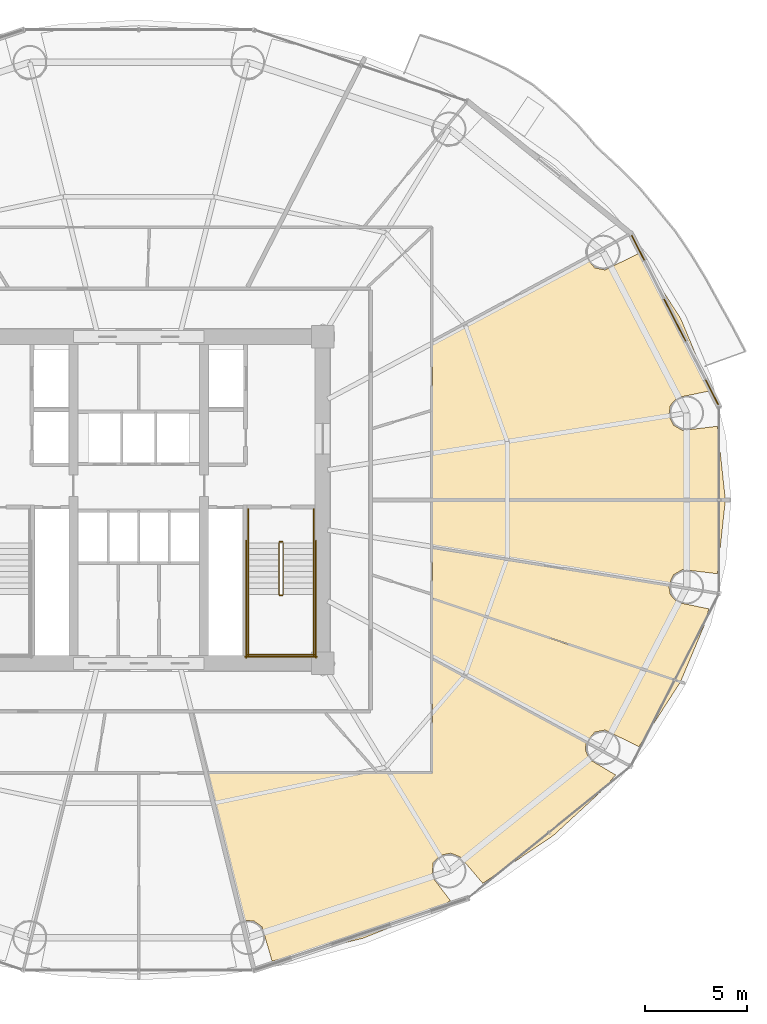
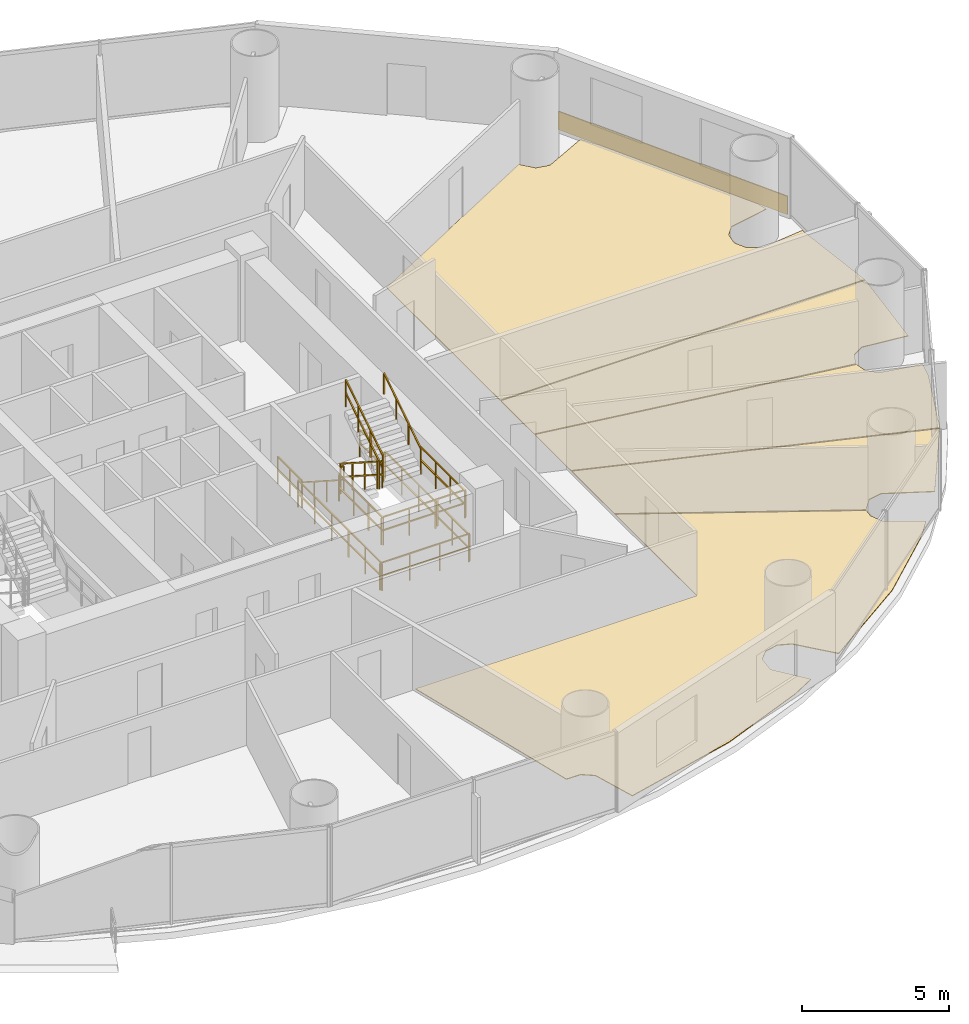
# One storey, part 28 of 29: 14 railings, 6 coverings.
"""IFC4 building model written with IfcOpenShell, lengths in metres."""

from ifc_helpers import new_model, si_unit, direction, frame, origin, origin_2d, place, context, subcontext, project, spatial, polyline, rectangle, outline, extrude, source, transform, mapped, material, layer, layer_set, type_object, element, save


model = new_model("IFC4")

# Units and contexts
model_context = context("Model", 3, precision=1e-05, world=origin(), true_north=direction((-0.2419218956, 0.970295726276)))
body_context = subcontext(model_context, "Body", "Model", "MODEL_VIEW")
ifc_project = project(units=[si_unit("LENGTHUNIT", "METRE"), si_unit("AREAUNIT", "SQUARE_METRE"), si_unit("VOLUMEUNIT", "CUBIC_METRE"), si_unit("PLANEANGLEUNIT", "RADIAN"), si_unit("MASSUNIT", "GRAM", prefix="KILO")], contexts=[model_context])

# Site, building, storey
site_placement = place(None, origin())
site = spatial("IfcSite", under=ifc_project, at=site_placement, CompositionType="ELEMENT")
building_placement = place(site_placement, origin())
building = spatial("IfcBuilding", under=site, at=building_placement, Name="Cobrevalo Terracotta Tower", CompositionType="ELEMENT")
storey_placement = place(building_placement, frame((0.0, 0.0, 67.199951171875)))
storey = spatial("IfcBuildingStorey", under=building, at=storey_placement, Name="L17", CompositionType="ELEMENT", Elevation=67.199951171875)

# Coverings
ifc_material_1 = material(Name="Engineered Brazilian hardwood flooring", Category="wood")
ifc_layer_1 = layer(ifc_material_1, 0.028076171875)
ifc_layer_set_1 = layer_set([ifc_layer_1], Name="Engineered Brazilian hardwood flooring")
covering_type_1 = type_object("IfcCoveringType", Name="Engineered Hardwood Suite Flooring 28", PredefinedType="FLOORING", material=ifc_layer_set_1)
covering_1_placement = place(storey_placement, origin())
element("IfcCovering", 1, at=covering_1_placement, inside=storey, type_object=covering_type_1, Name="Flat L17A Penthouse Living and Dining Room floor finish", PredefinedType="FLOORING", context=body_context, shape_type="SweptSolid", body=[
    extrude(outline(polyline([(64.534423828125, 35.684326171875), (65.74169921875, 32.80859375), (65.909423828125, 32.126220703125), (64.3642578125, 31.81298828125), (64.025146484375, 31.4306640625), (63.955322265625, 30.924560546875), (64.178466796875, 30.465087890625), (64.619384765625, 30.206787109375), (66.331298828125, 30.4111328125), (66.71826171875, 26.820068359375), (52.375, 26.820068359375), (52.375, 34.560791015625), (59.915283203125, 38.643310546875), (60.325439453125, 38.163330078125), (60.826416015625, 38.063232421875), (62.488037109375, 38.87451171875), (64.534423828125, 35.684326171875)])), origin(), (0.0, 0.0, 1.0), 0.030029296875),
])
covering_2_placement = place(storey_placement, origin())
element("IfcCovering", 2, at=covering_2_placement, inside=storey, type_object=covering_type_1, Name="Flat L17E Penthouse Living and Dining Room floor finish", PredefinedType="FLOORING", context=body_context, shape_type="SweptSolid", body=[
    extrude(outline(polyline([(58.3095703125, 10.38232421875), (54.843505859375, 8.03271484375), (53.746826171875, 9.31787109375), (53.27294921875, 9.509033203125), (52.772705078125, 9.40478515625), (52.414794921875, 9.0400390625), (52.35498046875, 8.369140625), (53.26318359375, 7.178955078125), (52.361572265625, 6.691650390625), (48.991943359375, 5.34814453125), (44.527587890625, 4.2255859375), (44.04345703125, 5.89306640625), (43.63330078125, 6.197998046875), (43.075439453125, 6.20703125), (41.3037109375, 13.425048828125), (52.375, 13.425048828125), (52.375, 18.993896484375), (59.90234375, 14.91796875), (59.864990234375, 14.573974609375), (60.060791015625, 14.10205078125), (61.34423828125, 13.341064453125), (60.786376953125, 12.666259765625), (58.3095703125, 10.38232421875)])), origin(), (0.0, 0.0, 1.0), 0.030029296875),
])
covering_3_placement = place(storey_placement, origin())
element("IfcCovering", 3, at=covering_3_placement, inside=storey, type_object=covering_type_1, Name="Flat L17E Master Bedroom floor finish", PredefinedType="FLOORING", context=body_context, shape_type="SweptSolid", body=[
    extrude(outline(polyline([(62.488037109375, 14.7255859375), (60.826416015625, 15.53662109375), (60.325439453125, 15.436767578125), (59.915283203125, 14.95654296875), (52.375, 19.039306640625), (52.375, 21.953857421875), (64.5126953125, 17.8798828125), (62.488037109375, 14.7255859375)])), origin(), (0.0, 0.0, 1.0), 0.030029296875),
])
covering_4_placement = place(storey_placement, origin())
element("IfcCovering", 4, at=covering_4_placement, inside=storey, type_object=covering_type_1, Name="Flat L17E Penthouse Family Lounge floor finish", PredefinedType="FLOORING", context=body_context, shape_type="SweptSolid", body=[
    extrude(outline(polyline([(52.375, 21.99609375), (52.375, 24.462646484375), (63.95068359375, 22.596923828125), (64.025146484375, 22.169189453125), (64.3642578125, 21.787109375), (65.909423828125, 21.473876953125), (65.74169921875, 20.791259765625), (64.531494140625, 17.91552734375), (52.375, 21.99609375)])), origin(), (0.0, 0.0, 1.0), 0.030029296875),
])
covering_5_placement = place(storey_placement, origin())
element("IfcCovering", 5, at=covering_5_placement, inside=storey, type_object=covering_type_1, Name="Flat L17E Penthouse Family Lounge floor finish", PredefinedType="FLOORING", context=body_context, shape_type="SweptSolid", body=[
    extrude(outline(polyline([(66.71826171875, 26.780029296875), (66.331298828125, 23.18896484375), (64.619384765625, 23.39306640625), (64.178466796875, 23.135009765625), (63.952880859375, 22.636962890625), (52.375, 24.503173828125), (52.375, 26.780029296875), (66.71826171875, 26.780029296875)])), origin(), (0.0, 0.0, 1.0), 0.030029296875),
])

# Railings
ifc_material_2 = material(Name="Brushed stainless steel", Category="steel")
railing_type_1 = type_object("IfcRailingType", Name="Stainless Steel Stair Handrail 900", PredefinedType="HANDRAIL", material=ifc_material_2)
railing_1_placement = place(storey_placement, frame((43.35498046875, 24.699951171875, 0.179931640625)))
element("IfcRailing", 6, at=railing_1_placement, inside=storey, type_object=railing_type_1, Name="L17 ST-2 stair handrail 1", PredefinedType="HANDRAIL", context=body_context, shape_type="SweptSolid", body=[
    extrude(rectangle(XDim=0.048095703125, YDim=0.048095703125, at=origin_2d()), frame((0.0, 0.0, 0.8759765625), z_axis=(0.0, -0.841162588446, 0.540782303519), x_axis=(1.0, 0.0, 0.0)), (0.0, 0.0, 1.0), 2.995849609375),
    extrude(rectangle(XDim=0.0419921875, YDim=0.0419921875, at=origin_2d()), origin(), (0.0, 0.0, 1.0), 0.851806640625),
    extrude(rectangle(XDim=0.0419921875, YDim=0.0419921875, at=origin_2d()), frame((0.0, -0.840087890625, 0.5400390625)), (0.0, 0.0, 1.0), 0.851806640625),
    extrude(rectangle(XDim=0.0419921875, YDim=0.0419921875, at=origin_2d()), frame((0.0, -1.679931640625, 1.080078125)), (0.0, 0.0, 1.0), 0.851806640625),
    extrude(rectangle(XDim=0.0419921875, YDim=0.0419921875, at=origin_2d()), frame((0.0, -2.52001953125, 1.6201171875)), (0.0, 0.0, 1.0), 0.851806640625),
])
railing_2_placement = place(storey_placement, frame((46.574951171875, 22.179931640625, 1.97998046875)))
element("IfcRailing", 7, at=railing_2_placement, inside=storey, type_object=railing_type_1, Name="L17 ST-2 stair handrail 2", PredefinedType="HANDRAIL", context=body_context, shape_type="SweptSolid", body=[
    extrude(rectangle(XDim=0.048095703125, YDim=0.048095703125, at=origin_2d()), frame((0.0, 0.0, 0.8759765625), z_axis=(0.0, 0.841162588446, 0.540782303519), x_axis=(-1.0, 0.0, 0.0)), (0.0, 0.0, 1.0), 2.995849609375),
    extrude(rectangle(XDim=0.0419921875, YDim=0.0419921875, at=origin_2d()), origin(), (0.0, 0.0, 1.0), 0.851806640625),
    extrude(rectangle(XDim=0.0419921875, YDim=0.0419921875, at=origin_2d()), frame((0.0, 0.840087890625, 0.5400390625)), (0.0, 0.0, 1.0), 0.851806640625),
    extrude(rectangle(XDim=0.0419921875, YDim=0.0419921875, at=origin_2d()), frame((0.0, 1.679931640625, 1.080078125)), (0.0, 0.0, 1.0), 0.851806640625),
    extrude(rectangle(XDim=0.0419921875, YDim=0.0419921875, at=origin_2d()), frame((0.0, 2.52001953125, 1.6201171875)), (0.0, 0.0, 1.0), 0.851806640625),
])
ifc_material_3 = material(Name="Painted galvanized steel", Category="steel")
railing_type_2 = type_object("IfcRailingType", Name="Stair Well Guard Balustrade 1150", PredefinedType="GUARDRAIL", material=ifc_material_3)
railing_3_placement = place(storey_placement, frame((44.85498046875, 24.699951171875, 0.179931640625)))
element("IfcRailing", 8, at=railing_3_placement, inside=storey, type_object=railing_type_2, Name="L17 ST-2 stair guard 1", PredefinedType="GUARDRAIL", context=body_context, shape_type="SweptSolid", body=[
    extrude(rectangle(XDim=0.048095703125, YDim=0.048095703125, at=origin_2d()), frame((0.0, 0.0, 1.1259765625), z_axis=(0.0, -0.841162588446, 0.540782303519), x_axis=(1.0, 0.0, 0.0)), (0.0, 0.0, 1.0), 2.995849609375),
    extrude(rectangle(XDim=0.048095703125, YDim=0.048095703125, at=origin_2d()), frame((0.0, 0.0, 0.574951171875), z_axis=(0.0, -0.841162588446, 0.540782303519), x_axis=(1.0, 0.0, 0.0)), (0.0, 0.0, 1.0), 2.995849609375),
    extrude(rectangle(XDim=0.0419921875, YDim=0.0419921875, at=origin_2d()), origin(), (0.0, 0.0, 1.0), 1.101806640625),
    extrude(rectangle(XDim=0.0419921875, YDim=0.0419921875, at=origin_2d()), frame((0.0, -0.840087890625, 0.5400390625)), (0.0, 0.0, 1.0), 1.101806640625),
    extrude(rectangle(XDim=0.0419921875, YDim=0.0419921875, at=origin_2d()), frame((0.0, -1.679931640625, 1.080078125)), (0.0, 0.0, 1.0), 1.101806640625),
    extrude(rectangle(XDim=0.0419921875, YDim=0.0419921875, at=origin_2d()), frame((0.0, -2.52001953125, 1.6201171875)), (0.0, 0.0, 1.0), 1.101806640625),
])
railing_4_placement = place(storey_placement, frame((44.905029296875, 22.1298828125, 1.800048828125)))
element("IfcRailing", 9, at=railing_4_placement, inside=storey, type_object=railing_type_2, Name="L17 ST-2 stair guard 2", PredefinedType="GUARDRAIL", context=body_context, shape_type="SweptSolid", body=[
    extrude(rectangle(XDim=0.048095703125, YDim=0.048095703125, at=origin_2d()), frame((0.0, 0.0, 1.1259765625), z_axis=(1.0, 0.0, 0.0), x_axis=(0.0, 1.0, 0.0)), (0.0, 0.0, 1.0), 0.119873046875),
    extrude(rectangle(XDim=0.048095703125, YDim=0.048095703125, at=origin_2d()), frame((0.0, 0.0, 0.574951171875), z_axis=(1.0, 0.0, 0.0), x_axis=(0.0, 1.0, 0.0)), (0.0, 0.0, 1.0), 0.119873046875),
    extrude(rectangle(XDim=0.0419921875, YDim=0.0419921875, at=origin_2d()), origin(), (0.0, 0.0, 1.0), 1.101806640625),
    extrude(rectangle(XDim=0.0419921875, YDim=0.0419921875, at=origin_2d()), frame((0.119873046875, 0.0, 0.0)), (0.0, 0.0, 1.0), 1.101806640625),
])
for number, where, name in (
    (10, (43.35498046875, 22.179931640625, 1.800048828125), "L17 ST-2 stair guard 3"),
    (11, (46.574951171875, 22.179931640625, 1.800048828125), "L17 ST-2 stair guard 4"),
):
    element("IfcRailing", number, at=place(storey_placement, frame(where)), inside=storey, type_object=railing_type_2, Name=name, PredefinedType="GUARDRAIL", context=body_context, shape_type="SweptSolid", body=[
        extrude(rectangle(XDim=0.048095703125, YDim=0.048095703125, at=origin_2d()), frame((0.0, 0.0, 1.1259765625), z_axis=(0.0, -1.0, 0.0), x_axis=(1.0, 0.0, 0.0)), (0.0, 0.0, 1.0), 3.0048828125),
        extrude(rectangle(XDim=0.048095703125, YDim=0.048095703125, at=origin_2d()), frame((0.0, 0.0, 0.574951171875), z_axis=(0.0, -1.0, 0.0), x_axis=(1.0, 0.0, 0.0)), (0.0, 0.0, 1.0), 3.0048828125),
        extrude(rectangle(XDim=0.0419921875, YDim=0.0419921875, at=origin_2d()), origin(), (0.0, 0.0, 1.0), 1.101806640625),
        extrude(rectangle(XDim=0.0419921875, YDim=0.0419921875, at=origin_2d()), frame((0.0, -1.001708984375, 0.0)), (0.0, 0.0, 1.0), 1.101806640625),
        extrude(rectangle(XDim=0.0419921875, YDim=0.0419921875, at=origin_2d()), frame((0.0, -2.003173828125, 0.0)), (0.0, 0.0, 1.0), 1.101806640625),
        extrude(rectangle(XDim=0.0419921875, YDim=0.0419921875, at=origin_2d()), frame((0.0, -3.0048828125, 0.0)), (0.0, 0.0, 1.0), 1.101806640625),
    ])
railing_5_placement = place(storey_placement, frame((43.304931640625, 19.22509765625, 1.800048828125)))
element("IfcRailing", 12, at=railing_5_placement, inside=storey, type_object=railing_type_2, Name="L17 ST-2 stair guard 5", PredefinedType="GUARDRAIL", context=body_context, shape_type="SweptSolid", body=[
    extrude(rectangle(XDim=0.048095703125, YDim=0.048095703125, at=origin_2d()), frame((0.0, 0.0, 1.1259765625), z_axis=(1.0, 0.0, 0.0), x_axis=(0.0, 1.0, 0.0)), (0.0, 0.0, 1.0), 3.320068359375),
    extrude(rectangle(XDim=0.048095703125, YDim=0.048095703125, at=origin_2d()), frame((0.0, 0.0, 0.574951171875), z_axis=(1.0, 0.0, 0.0), x_axis=(0.0, 1.0, 0.0)), (0.0, 0.0, 1.0), 3.320068359375),
    extrude(rectangle(XDim=0.0419921875, YDim=0.0419921875, at=origin_2d()), origin(), (0.0, 0.0, 1.0), 1.101806640625),
    extrude(rectangle(XDim=0.0419921875, YDim=0.0419921875, at=origin_2d()), frame((1.106689453125, 0.0, 0.0)), (0.0, 0.0, 1.0), 1.101806640625),
    extrude(rectangle(XDim=0.0419921875, YDim=0.0419921875, at=origin_2d()), frame((2.21337890625, 0.0, 0.0)), (0.0, 0.0, 1.0), 1.101806640625),
    extrude(rectangle(XDim=0.0419921875, YDim=0.0419921875, at=origin_2d()), frame((3.320068359375, 0.0, 0.0)), (0.0, 0.0, 1.0), 1.101806640625),
])
railing_6_placement = place(storey_placement, frame((45.074951171875, 22.179931640625, 1.97998046875)))
element("IfcRailing", 13, at=railing_6_placement, inside=storey, type_object=railing_type_2, Name="L17 ST-2 stair guard 6", PredefinedType="GUARDRAIL", context=body_context, shape_type="SweptSolid", body=[
    extrude(rectangle(XDim=0.048095703125, YDim=0.048095703125, at=origin_2d()), frame((0.0, 0.0, 1.1259765625), z_axis=(0.0, 0.841162588446, 0.540782303519), x_axis=(-1.0, 0.0, 0.0)), (0.0, 0.0, 1.0), 2.995849609375),
    extrude(rectangle(XDim=0.048095703125, YDim=0.048095703125, at=origin_2d()), frame((0.0, 0.0, 0.574951171875), z_axis=(0.0, 0.841162588446, 0.540782303519), x_axis=(-1.0, 0.0, 0.0)), (0.0, 0.0, 1.0), 2.995849609375),
    extrude(rectangle(XDim=0.0419921875, YDim=0.0419921875, at=origin_2d()), origin(), (0.0, 0.0, 1.0), 1.101806640625),
    extrude(rectangle(XDim=0.0419921875, YDim=0.0419921875, at=origin_2d()), frame((0.0, 0.840087890625, 0.5400390625)), (0.0, 0.0, 1.0), 1.101806640625),
    extrude(rectangle(XDim=0.0419921875, YDim=0.0419921875, at=origin_2d()), frame((0.0, 1.679931640625, 1.080078125)), (0.0, 0.0, 1.0), 1.101806640625),
    extrude(rectangle(XDim=0.0419921875, YDim=0.0419921875, at=origin_2d()), frame((0.0, 2.52001953125, 1.6201171875)), (0.0, 0.0, 1.0), 1.101806640625),
])
railing_7_placement = place(storey_placement, frame((44.905029296875, 24.75, 0.0)))
element("IfcRailing", 14, at=railing_7_placement, inside=storey, type_object=railing_type_2, Name="L17 ST-2 stair guard 7", PredefinedType="GUARDRAIL", context=body_context, shape_type="SweptSolid", body=[
    extrude(rectangle(XDim=0.048095703125, YDim=0.048095703125, at=origin_2d()), frame((0.0, 0.0, 1.1259765625), z_axis=(1.0, 0.0, 0.0), x_axis=(0.0, 1.0, 0.0)), (0.0, 0.0, 1.0), 0.119873046875),
    extrude(rectangle(XDim=0.048095703125, YDim=0.048095703125, at=origin_2d()), frame((0.0, 0.0, 0.574951171875), z_axis=(1.0, 0.0, 0.0), x_axis=(0.0, 1.0, 0.0)), (0.0, 0.0, 1.0), 0.119873046875),
    extrude(rectangle(XDim=0.0419921875, YDim=0.0419921875, at=origin_2d()), origin(), (0.0, 0.0, 1.0), 1.101806640625),
    extrude(rectangle(XDim=0.0419921875, YDim=0.0419921875, at=origin_2d()), frame((0.119873046875, 0.0, 0.0)), (0.0, 0.0, 1.0), 1.101806640625),
])
for number, where, name in (
    (15, (43.35498046875, 26.35009765625, 0.0), "L17 ST-2 stair guard 8"),
    (16, (46.574951171875, 26.35009765625, 0.0), "L17 ST-2 stair guard 9"),
):
    element("IfcRailing", number, at=place(storey_placement, frame(where)), inside=storey, type_object=railing_type_2, Name=name, PredefinedType="GUARDRAIL", context=body_context, shape_type="SweptSolid", body=[
        extrude(rectangle(XDim=0.048095703125, YDim=0.048095703125, at=origin_2d()), frame((0.0, 0.0, 1.1259765625), z_axis=(0.0, -1.0, 0.0), x_axis=(1.0, 0.0, 0.0)), (0.0, 0.0, 1.0), 1.650146484375),
        extrude(rectangle(XDim=0.048095703125, YDim=0.048095703125, at=origin_2d()), frame((0.0, 0.0, 0.574951171875), z_axis=(0.0, -1.0, 0.0), x_axis=(1.0, 0.0, 0.0)), (0.0, 0.0, 1.0), 1.650146484375),
        extrude(rectangle(XDim=0.0419921875, YDim=0.0419921875, at=origin_2d()), origin(), (0.0, 0.0, 1.0), 1.101806640625),
        extrude(rectangle(XDim=0.0419921875, YDim=0.0419921875, at=origin_2d()), frame((0.0, -0.8251953125, 0.0)), (0.0, 0.0, 1.0), 1.101806640625),
        extrude(rectangle(XDim=0.0419921875, YDim=0.0419921875, at=origin_2d()), frame((0.0, -1.650146484375, 0.0)), (0.0, 0.0, 1.0), 1.101806640625),
    ])
for number, where, name in (
    (17, (43.2548828125, 24.800048828125, 0.0), "L17 ST-2 stair guard 10"),
    (18, (46.675048828125, 24.800048828125, 0.0), "L17 ST-2 stair guard 11"),
):
    element("IfcRailing", number, at=place(storey_placement, frame(where)), inside=storey, type_object=railing_type_2, Name=name, PredefinedType="GUARDRAIL", context=body_context, shape_type="SweptSolid", body=[
        extrude(rectangle(XDim=0.048095703125, YDim=0.048095703125, at=origin_2d()), frame((0.0, 0.0, 1.1259765625), z_axis=(0.0, -1.0, 0.0), x_axis=(1.0, 0.0, 0.0)), (0.0, 0.0, 1.0), 5.72509765625),
        extrude(rectangle(XDim=0.048095703125, YDim=0.048095703125, at=origin_2d()), frame((0.0, 0.0, 0.574951171875), z_axis=(0.0, -1.0, 0.0), x_axis=(1.0, 0.0, 0.0)), (0.0, 0.0, 1.0), 5.72509765625),
        extrude(rectangle(XDim=0.0419921875, YDim=0.0419921875, at=origin_2d()), origin(), (0.0, 0.0, 1.0), 1.101806640625),
        extrude(rectangle(XDim=0.0419921875, YDim=0.0419921875, at=origin_2d()), frame((0.0, -1.14501953125, 0.0)), (0.0, 0.0, 1.0), 1.101806640625),
        extrude(rectangle(XDim=0.0419921875, YDim=0.0419921875, at=origin_2d()), frame((0.0, -2.2900390625, 0.0)), (0.0, 0.0, 1.0), 1.101806640625),
        extrude(rectangle(XDim=0.0419921875, YDim=0.0419921875, at=origin_2d()), frame((0.0, -3.43505859375, 0.0)), (0.0, 0.0, 1.0), 1.101806640625),
        extrude(rectangle(XDim=0.0419921875, YDim=0.0419921875, at=origin_2d()), frame((0.0, -4.580078125, 0.0)), (0.0, 0.0, 1.0), 1.101806640625),
        extrude(rectangle(XDim=0.0419921875, YDim=0.0419921875, at=origin_2d()), frame((0.0, -5.72509765625, 0.0)), (0.0, 0.0, 1.0), 1.101806640625),
    ])
railing_8_placement = place(storey_placement, frame((43.205078125, 19.125, 0.0)))
element("IfcRailing", 19, at=railing_8_placement, inside=storey, type_object=railing_type_2, Name="L17 ST-2 stair guard 12", PredefinedType="GUARDRAIL", context=body_context, shape_type="SweptSolid", body=[
    extrude(rectangle(XDim=0.048095703125, YDim=0.048095703125, at=origin_2d()), frame((0.0, 0.0, 1.1259765625), z_axis=(1.0, 0.0, 0.0), x_axis=(0.0, 1.0, 0.0)), (0.0, 0.0, 1.0), 3.52001953125),
    extrude(rectangle(XDim=0.048095703125, YDim=0.048095703125, at=origin_2d()), frame((0.0, 0.0, 0.574951171875), z_axis=(1.0, 0.0, 0.0), x_axis=(0.0, 1.0, 0.0)), (0.0, 0.0, 1.0), 3.52001953125),
    extrude(rectangle(XDim=0.0419921875, YDim=0.0419921875, at=origin_2d()), origin(), (0.0, 0.0, 1.0), 1.101806640625),
    extrude(rectangle(XDim=0.0419921875, YDim=0.0419921875, at=origin_2d()), frame((1.17333984375, 0.0, 0.0)), (0.0, 0.0, 1.0), 1.101806640625),
    extrude(rectangle(XDim=0.0419921875, YDim=0.0419921875, at=origin_2d()), frame((2.3466796875, 0.0, 0.0)), (0.0, 0.0, 1.0), 1.101806640625),
    extrude(rectangle(XDim=0.0419921875, YDim=0.0419921875, at=origin_2d()), frame((3.52001953125, 0.0, 0.0)), (0.0, 0.0, 1.0), 1.101806640625),
])

# Covering
ifc_material_4 = material(Name="Glazed terracotta facade cladding tile", Category="masonry")
ifc_layer_2 = layer(ifc_material_4, 0.044921875)
ifc_layer_set_2 = layer_set([ifc_layer_2], Name="Glazed terracotta facade cladding tile")
covering_type_2 = type_object("IfcCoveringType", Name="Architectural terracotta rainscreen spandrel cladding 45 mm", PredefinedType="CLADDING", material=ifc_layer_set_2)
shared_shape = source(origin(), body_context, "Body", "SweptSolid", [
    extrude(rectangle(XDim=9.30224609375, YDim=0.044921875, at=origin_2d()), origin(), (0.0, 0.0, 1.0), 0.760009765625),
])
covering_6_placement = place(storey_placement, frame((64.25048828125, 35.60888671875, 0.0400390625), z_axis=(0.0, 0.0, 1.0), x_axis=(-0.45523102861, 0.890373354605, 0.0)))
element("IfcCovering", 20, at=covering_6_placement, inside=storey, type_object=covering_type_2, Name="L17 terracotta spandrel cladding S01", PredefinedType="CLADDING", context=body_context, shape_type="MappedRepresentation", body=[
    mapped(shared_shape, transform((0.0, 0.0, 0.0), scale=1.0)),
])

save(model, "model.ifc")
